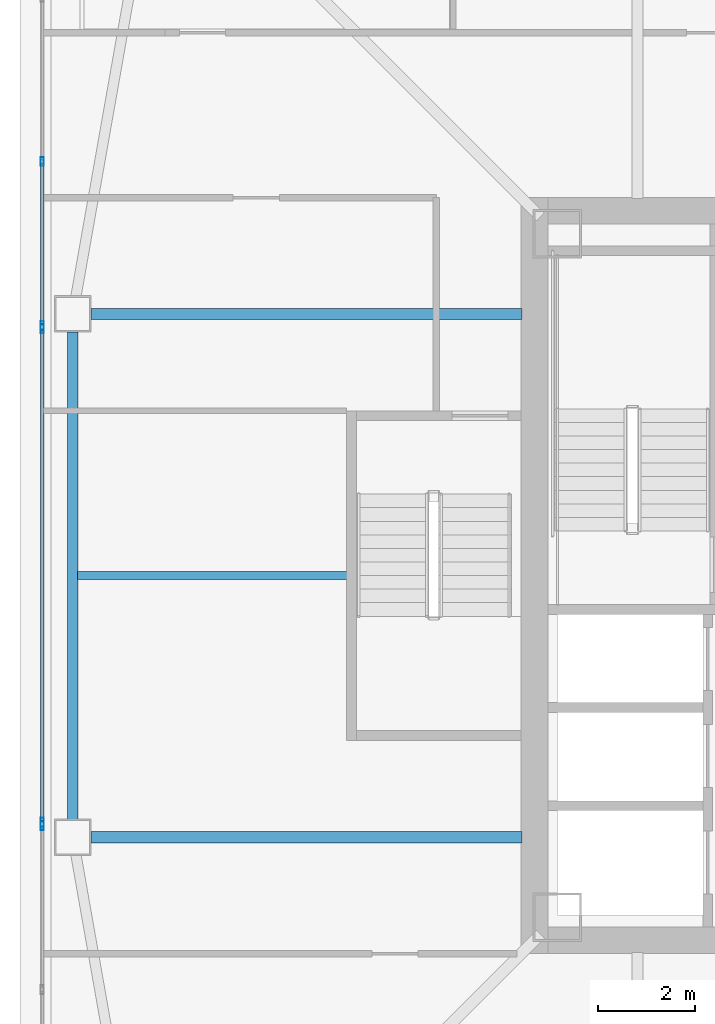
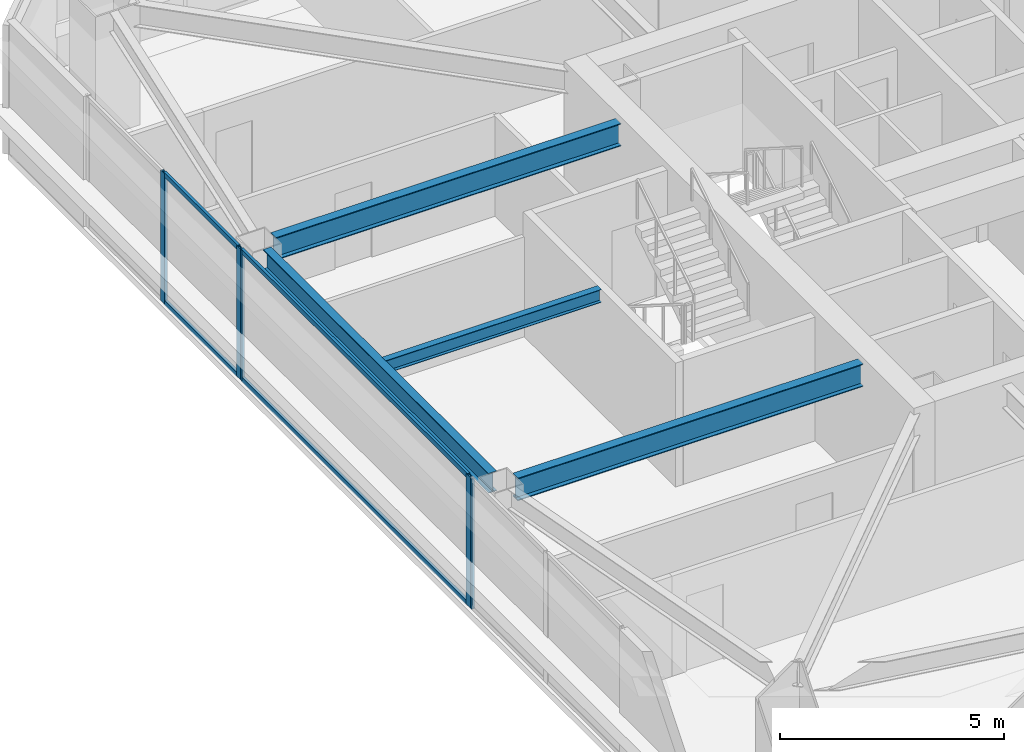
# One storey, part 8 of 43: 9 members, 4 beams, 3 elements without a shape of their own.
"""IFC4 building model written with IfcOpenShell, lengths in metres."""

from ifc_helpers import new_model, si_unit, direction, frame, origin, origin_2d, place, context, subcontext, project, spatial, hollow_rectangle, i_section, extrude, material, material_profile, profile_set, type_object, element, aggregate, save


model = new_model("IFC4")

# Units and contexts
model_context = context("Model", 3, precision=1e-05, world=origin(), true_north=direction((0.0, 1.0)))
body_context = subcontext(model_context, "Body", "Model", "MODEL_VIEW")
ifc_project = project(units=[si_unit("LENGTHUNIT", "METRE"), si_unit("AREAUNIT", "SQUARE_METRE"), si_unit("VOLUMEUNIT", "CUBIC_METRE"), si_unit("PLANEANGLEUNIT", "RADIAN"), si_unit("MASSUNIT", "GRAM", prefix="KILO")], contexts=[model_context])

# Site, building, storey
site_placement = place(None, origin())
site = spatial("IfcSite", under=ifc_project, at=site_placement, CompositionType="ELEMENT")
building_placement = place(site_placement, origin())
building = spatial("IfcBuilding", under=site, at=building_placement, Name="Tashvorn Skyway Center", CompositionType="ELEMENT")
storey_placement = place(building_placement, frame((0.0, 0.0, 160.550048828125)))
storey = spatial("IfcBuildingStorey", under=building, at=storey_placement, Name="L43", CompositionType="ELEMENT", Elevation=160.550048828125)

# Beams
ifc_material_1 = material(Name="Steel ASTM A992 Grade 50", Category="steel")
ifc_material_profile_1 = material_profile(ifc_material_1, i_section(OverallWidth=0.22998046875, OverallDepth=0.616943359375, WebThickness=0.01318359375, FlangeThickness=0.022216796875, at=origin_2d()), Name="W24X94")
ifc_profile_set_1 = profile_set([ifc_material_profile_1], Name="Steel ASTM A992 Grade 50")
beam_type_1 = type_object("IfcBeamType", Name="BM-BEAM-W24X94", PredefinedType="BEAM", material=ifc_profile_set_1)
for number, where, z_axis, x_axis, name in (
    (1, (25.320068359375, 37.39990234375, 3.0615234375), (1.0, 0.0, 0.0), (0.0, 1.0, 0.0), "Tower 1 L43 Primary Floor Girder FC-W1"),
    (2, (25.320068359375, 26.60009765625, 3.0615234375), (1.0, 0.0, 0.0), (0.0, 1.0, 0.0), "Tower 1 L43 Primary Floor Girder FC-W2"),
):
    element("IfcBeam", number, at=place(storey_placement, frame(where, z_axis=z_axis, x_axis=x_axis)), inside=storey, type_object=beam_type_1, Name=name, PredefinedType="BEAM", context=body_context, shape_type="SweptSolid", body=[
        extrude(i_section(OverallWidth=0.22998046875, OverallDepth=0.616943359375, WebThickness=0.01318359375, FlangeThickness=0.022216796875, at=origin_2d()), origin(), (0.0, 0.0, 1.0), 8.89990234375),
    ])
ifc_material_profile_2 = material_profile(ifc_material_1, i_section(OverallWidth=0.1708984375, OverallDepth=0.35498046875, WebThickness=0.007080078125, FlangeThickness=0.01171875, at=origin_2d()), Name="W14X34")
ifc_profile_set_2 = profile_set([ifc_material_profile_2], Name="Steel ASTM A992 Grade 50")
beam_type_2 = type_object("IfcBeamType", Name="BM-JOIST-W14X34", PredefinedType="JOIST", material=ifc_profile_set_2)
beam_1_placement = place(storey_placement, frame((30.610107421875, 32.0, 3.1923828125), z_axis=(-1.0, 0.0, 0.0), x_axis=(0.0, -1.0, 0.0)))
element("IfcBeam", 3, at=beam_1_placement, inside=storey, type_object=beam_type_2, Name="Tower 1 L43 Secondary Composite Joist JW", PredefinedType="JOIST", context=body_context, shape_type="SweptSolid", body=[
    extrude(i_section(OverallWidth=0.1708984375, OverallDepth=0.35498046875, WebThickness=0.007080078125, FlangeThickness=0.01171875, at=origin_2d()), origin(), (0.0, 0.0, 1.0), 5.5625),
])
ifc_material_profile_3 = material_profile(ifc_material_1, i_section(OverallWidth=0.2109375, OverallDepth=0.5390625, WebThickness=0.01171875, FlangeThickness=0.018798828125, at=origin_2d()), Name="W21X73")
ifc_profile_set_3 = profile_set([ifc_material_profile_3], Name="Steel ASTM A992 Grade 50")
beam_type_3 = type_object("IfcBeamType", Name="BM-SPANDREL-W21X73", PredefinedType="SPANDREL", material=ifc_profile_set_3)
beam_2_placement = place(storey_placement, frame((24.949951171875, 37.030029296875, 3.100341796875), z_axis=(0.0, -1.0, 0.0), x_axis=(1.0, 0.0, 0.0)))
element("IfcBeam", 4, at=beam_2_placement, inside=storey, type_object=beam_type_3, Name="Tower 1 L43 Spandrel Beam 11", PredefinedType="SPANDREL", context=body_context, shape_type="SweptSolid", body=[
    extrude(i_section(OverallWidth=0.2109375, OverallDepth=0.5390625, WebThickness=0.01171875, FlangeThickness=0.018798828125, at=origin_2d()), origin(), (0.0, 0.0, 1.0), 10.06005859375),
])

# Curtain wall, member
ifc_material_2 = material(Name="Thermally broken bronze-anodized aluminium 6063-T6", Category="aluminium")
curtain_wall_type = type_object("IfcCurtainWallType", Name="CW-CW-Z4", PredefinedType="NOTDEFINED", material=ifc_material_2)
curtain_wall_1_placement = place(storey_placement, origin())
curtain_wall_1 = element("IfcCurtainWall", 5, at=curtain_wall_1_placement, inside=storey, type_object=curtain_wall_type, Name="Tower 1 L43 West Unitised Curtain Wall Glazing Group 1", PredefinedType="NOTDEFINED")
ifc_material_profile_4 = material_profile(ifc_material_2, hollow_rectangle(XDim=0.070068359375, YDim=0.179931640625, WallThickness=0.00390625, at=origin_2d()), Name="ALU-MULL-70x180")
ifc_profile_set_4 = profile_set([ifc_material_profile_4], Name="Thermally broken bronze-anodized aluminium 6063-T6")
member_type_1 = type_object("IfcMemberType", Name="CWM-CW-Z4", PredefinedType="MULLION", material=ifc_profile_set_4)
member_1_placement = place(storey_placement, frame((24.320068359375, 26.83837890625, 0.0), z_axis=(0.0, 0.0, 1.0), x_axis=(-1.0, 0.0, 0.0)))
member_1 = element("IfcMember", 6, at=member_1_placement, type_object=member_type_1, Name="CW-Z4 mullion 3", PredefinedType="MULLION", context=body_context, shape_type="SweptSolid", body=[
    extrude(hollow_rectangle(XDim=0.070068359375, YDim=0.179931640625, WallThickness=0.00390625, at=origin_2d()), origin(), (0.0, 0.0, 1.0), 3.550048828125),
])
aggregate(curtain_wall_1, [member_1])

# Curtain wall, members
curtain_wall_2_placement = place(storey_placement, origin())
curtain_wall_2 = element("IfcCurtainWall", 7, at=curtain_wall_2_placement, inside=storey, type_object=curtain_wall_type, Name="Tower 1 L43 West Unitised Curtain Wall Glazing Group 2", PredefinedType="NOTDEFINED")
member_2_placement = place(storey_placement, frame((24.320068359375, 26.908203125, 0.0), z_axis=(0.0, 0.0, 1.0), x_axis=(-1.0, 0.0, 0.0)))
member_2 = element("IfcMember", 8, at=member_2_placement, type_object=member_type_1, Name="CW-Z4 mullion 1", PredefinedType="MULLION", context=body_context, shape_type="SweptSolid", body=[
    extrude(hollow_rectangle(XDim=0.070068359375, YDim=0.179931640625, WallThickness=0.00390625, at=origin_2d()), origin(), (0.0, 0.0, 1.0), 3.550048828125),
])
member_3_placement = place(storey_placement, frame((24.320068359375, 37.091796875, 0.0), z_axis=(0.0, 0.0, 1.0), x_axis=(-1.0, 0.0, 0.0)))
member_3 = element("IfcMember", 9, at=member_3_placement, type_object=member_type_1, Name="CW-Z4 mullion 2", PredefinedType="MULLION", context=body_context, shape_type="SweptSolid", body=[
    extrude(hollow_rectangle(XDim=0.070068359375, YDim=0.179931640625, WallThickness=0.00390625, at=origin_2d()), origin(), (0.0, 0.0, 1.0), 3.550048828125),
])

curtain_wall_3_placement = place(storey_placement, origin())
curtain_wall_3 = element("IfcCurtainWall", 10, at=curtain_wall_3_placement, inside=storey, type_object=curtain_wall_type, Name="Tower 1 L43 West Unitised Curtain Wall Glazing Group 3", PredefinedType="NOTDEFINED")
member_4_placement = place(storey_placement, frame((24.320068359375, 37.16162109375, 0.0), z_axis=(0.0, 0.0, 1.0), x_axis=(-1.0, 0.0, 0.0)))
member_4 = element("IfcMember", 11, at=member_4_placement, type_object=member_type_1, Name="CW-Z4 mullion 1", PredefinedType="MULLION", context=body_context, shape_type="SweptSolid", body=[
    extrude(hollow_rectangle(XDim=0.070068359375, YDim=0.179931640625, WallThickness=0.00390625, at=origin_2d()), origin(), (0.0, 0.0, 1.0), 3.550048828125),
])
member_5_placement = place(storey_placement, frame((24.320068359375, 40.54443359375, 0.0), z_axis=(0.0, 0.0, 1.0), x_axis=(-1.0, 0.0, 0.0)))
member_5 = element("IfcMember", 12, at=member_5_placement, type_object=member_type_1, Name="CW-Z4 mullion 2", PredefinedType="MULLION", context=body_context, shape_type="SweptSolid", body=[
    extrude(hollow_rectangle(XDim=0.070068359375, YDim=0.179931640625, WallThickness=0.00390625, at=origin_2d()), origin(), (0.0, 0.0, 1.0), 3.550048828125),
])

# Member
ifc_material_profile_5 = material_profile(ifc_material_2, hollow_rectangle(XDim=0.070068359375, YDim=0.1298828125, WallThickness=0.00390625, at=origin_2d()), Name="ALU-TRAN-70x130")
ifc_profile_set_5 = profile_set([ifc_material_profile_5], Name="Thermally broken bronze-anodized aluminium 6063-T6")
member_type_2 = type_object("IfcMemberType", Name="CWT-CW-Z4", PredefinedType="USERDEFINED", material=ifc_profile_set_5)
member_6_placement = place(storey_placement, frame((24.320068359375, 26.943359375, 0.034912109375), z_axis=(0.0, 1.0, 0.0), x_axis=(-1.0, 0.0, 0.0)))
member_6 = element("IfcMember", 13, at=member_6_placement, type_object=member_type_2, Name="CW-Z4 transom 1.1", ObjectType="TRANSOM", PredefinedType="USERDEFINED", context=body_context, shape_type="SweptSolid", body=[
    extrude(hollow_rectangle(XDim=0.070068359375, YDim=0.1298828125, WallThickness=0.00390625, at=origin_2d()), origin(), (0.0, 0.0, 1.0), 10.11328125),
])

member_7_placement = place(storey_placement, frame((24.320068359375, 26.943359375, 3.514892578125), z_axis=(0.0, 1.0, 0.0), x_axis=(-1.0, 0.0, 0.0)))
member_7 = element("IfcMember", 14, at=member_7_placement, type_object=member_type_2, Name="CW-Z4 transom 1.2", ObjectType="TRANSOM", PredefinedType="USERDEFINED", context=body_context, shape_type="SweptSolid", body=[
    extrude(hollow_rectangle(XDim=0.070068359375, YDim=0.1298828125, WallThickness=0.00390625, at=origin_2d()), origin(), (0.0, 0.0, 1.0), 10.11328125),
])

aggregate(curtain_wall_2, [member_2, member_3, member_6, member_7])

member_8_placement = place(storey_placement, frame((24.320068359375, 37.19677734375, 0.034912109375), z_axis=(0.0, 1.0, 0.0), x_axis=(-1.0, 0.0, 0.0)))
member_8 = element("IfcMember", 15, at=member_8_placement, type_object=member_type_2, Name="CW-Z4 transom 1.1", ObjectType="TRANSOM", PredefinedType="USERDEFINED", context=body_context, shape_type="SweptSolid", body=[
    extrude(hollow_rectangle(XDim=0.070068359375, YDim=0.1298828125, WallThickness=0.00390625, at=origin_2d()), origin(), (0.0, 0.0, 1.0), 3.312744140625),
])

member_9_placement = place(storey_placement, frame((24.320068359375, 37.19677734375, 3.514892578125), z_axis=(0.0, 1.0, 0.0), x_axis=(-1.0, 0.0, 0.0)))
member_9 = element("IfcMember", 16, at=member_9_placement, type_object=member_type_2, Name="CW-Z4 transom 1.2", ObjectType="TRANSOM", PredefinedType="USERDEFINED", context=body_context, shape_type="SweptSolid", body=[
    extrude(hollow_rectangle(XDim=0.070068359375, YDim=0.1298828125, WallThickness=0.00390625, at=origin_2d()), origin(), (0.0, 0.0, 1.0), 3.312744140625),
])

aggregate(curtain_wall_3, [member_4, member_5, member_8, member_9])

save(model, "model.ifc")
